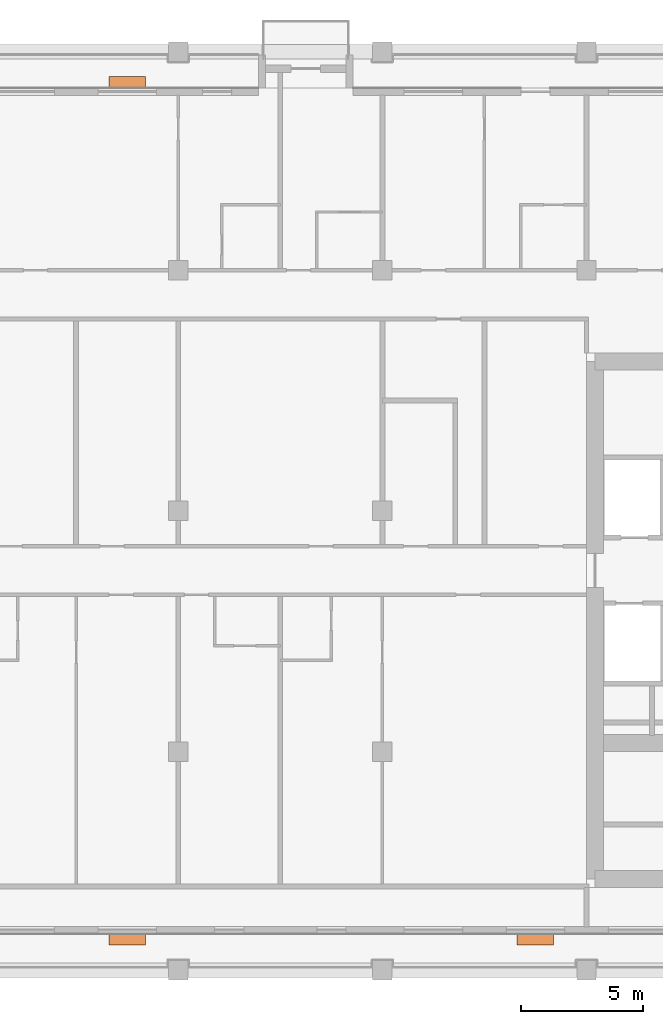
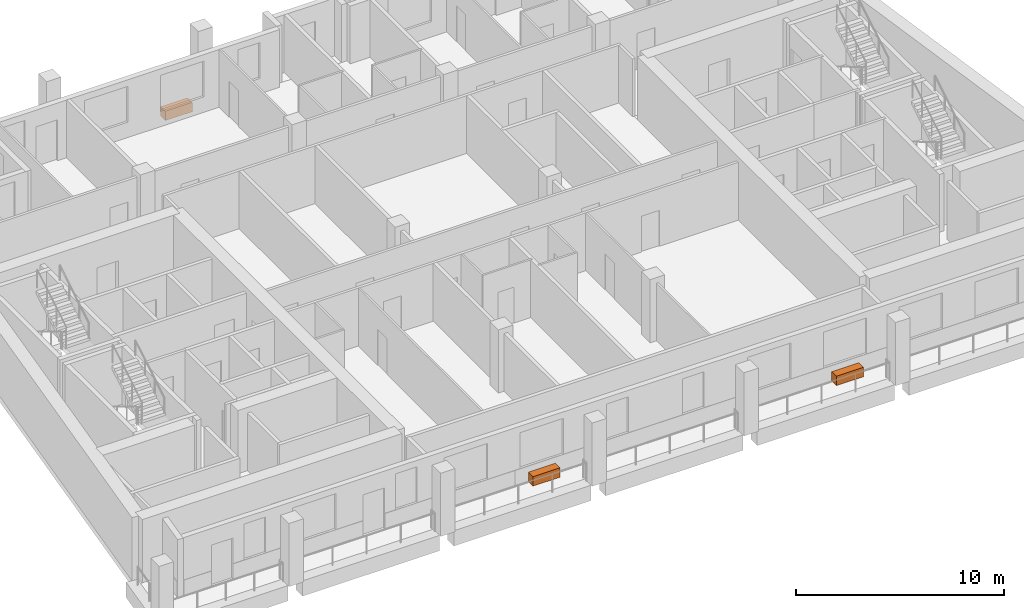
# One storey, part 13 of 13: 3 proxies.
"""IFC4 building model written with IfcOpenShell, lengths in metres."""

from ifc_helpers import new_model, si_unit, direction, frame, origin, origin_2d, place, context, subcontext, project, spatial, rectangle, extrude, element, save


model = new_model("IFC4")

# Units and contexts
model_context = context("Model", 3, precision=1e-05, world=origin(), true_north=direction((0.0, 1.0)))
body_context = subcontext(model_context, "Body", "Model", "MODEL_VIEW")
ifc_project = project(units=[si_unit("LENGTHUNIT", "METRE"), si_unit("AREAUNIT", "SQUARE_METRE"), si_unit("VOLUMEUNIT", "CUBIC_METRE"), si_unit("PLANEANGLEUNIT", "RADIAN"), si_unit("MASSUNIT", "GRAM", prefix="KILO")], contexts=[model_context])

# Site, building, storey
site_placement = place(None, origin())
site = spatial("IfcSite", under=ifc_project, at=site_placement, CompositionType="ELEMENT")
building_placement = place(site_placement, origin())
building = spatial("IfcBuilding", under=site, at=building_placement, Name="Candeia Pilgrim Tower and Theatre", CompositionType="ELEMENT")
storey_placement = place(building_placement, frame((0.0, 0.0, 262.699951171875)))
storey = spatial("IfcBuildingStorey", under=building, at=storey_placement, Name="L63", CompositionType="ELEMENT", Elevation=262.699951171875)

# Proxies
for number, where, z_axis, x_axis, name in (
    (1, (107.10009765625, 108.2548828125, 0.0), (0.0, 0.0, 1.0), (1.0, 0.0, 0.0), "Planter"),
    (2, (123.89990234375, 108.2548828125, 0.0), (0.0, 0.0, 1.0), (1.0, 0.0, 0.0), "Planter"),
    (3, (107.10009765625, 143.544921875, 0.0), (0.0, 0.0, 1.0), (-1.0, 0.0, 0.0), "Planter"),
):
    element("IfcBuildingElementProxy", number, at=place(storey_placement, frame(where, z_axis=z_axis, x_axis=x_axis)), inside=storey, Name=name, ObjectType="PLANTER", PredefinedType="USERDEFINED", context=body_context, shape_type="SweptSolid", body=[
        extrude(rectangle(XDim=1.5, YDim=0.449951171875, at=origin_2d()), origin(), (0.0, 0.0, 1.0), 0.550048828125),
    ])

save(model, "model.ifc")
